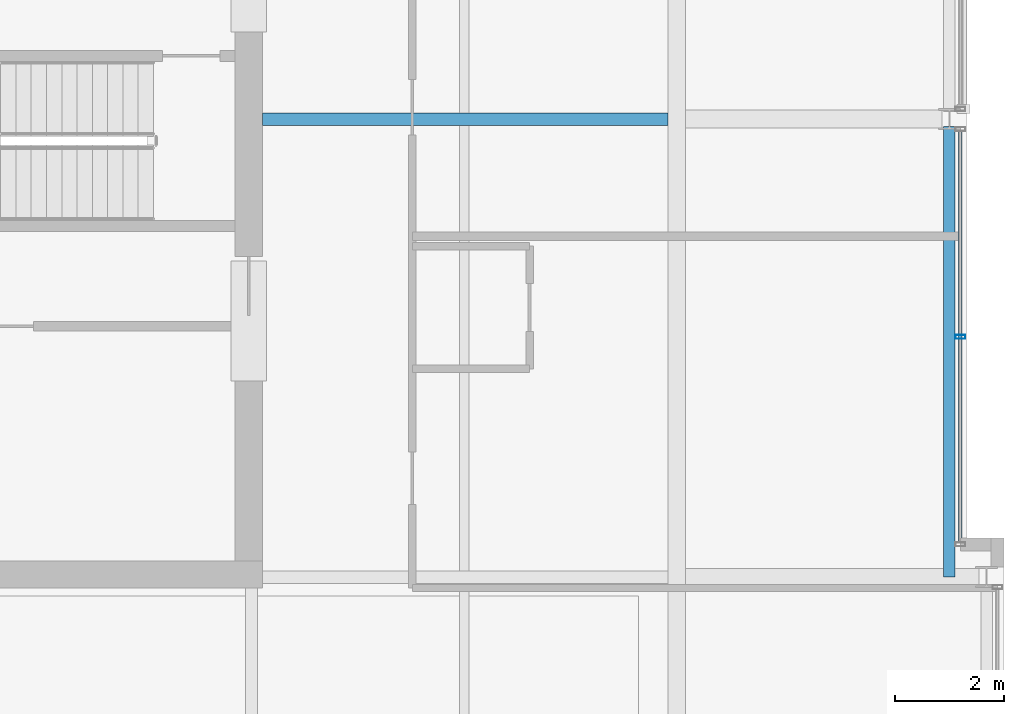
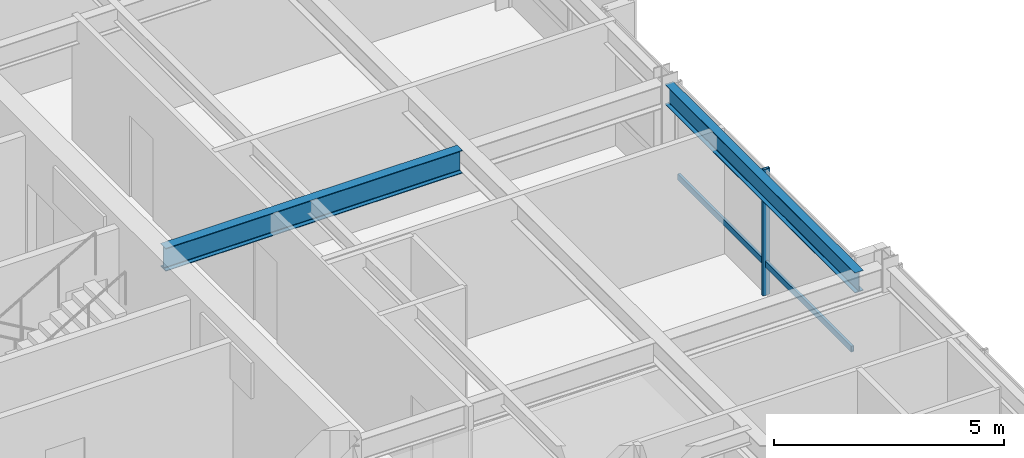
# One storey, part 14 of 32: 2 beams, 2 members, 1 element without a shape of its own.
"""IFC4 building model written with IfcOpenShell, lengths in metres."""

from ifc_helpers import new_model, si_unit, direction, frame, origin, origin_2d, place, context, subcontext, project, spatial, hollow_rectangle, i_section, extrude, material, layer, layer_set, material_profile, profile_set, type_object, element, aggregate, save


model = new_model("IFC4")

# Units and contexts
model_context = context("Model", 3, precision=1e-05, world=origin(), true_north=direction((0.0, 1.0)))
body_context = subcontext(model_context, "Body", "Model", "MODEL_VIEW")
ifc_project = project(units=[si_unit("LENGTHUNIT", "METRE"), si_unit("AREAUNIT", "SQUARE_METRE"), si_unit("VOLUMEUNIT", "CUBIC_METRE"), si_unit("PLANEANGLEUNIT", "RADIAN"), si_unit("MASSUNIT", "GRAM", prefix="KILO")], contexts=[model_context])

# Site, building, storey
site_placement = place(None, origin())
site = spatial("IfcSite", under=ifc_project, at=site_placement, CompositionType="ELEMENT")
building_placement = place(site_placement, origin())
building = spatial("IfcBuilding", under=site, at=building_placement, Name="Drelvath Grand Hotel", CompositionType="ELEMENT")
storey_placement = place(building_placement, frame((0.0, 0.0, 226.699951171875)))
storey = spatial("IfcBuildingStorey", under=building, at=storey_placement, Name="L59", CompositionType="ELEMENT", Elevation=226.699951171875)

# Curtain wall, members
ifc_material_1 = material(Name="Platinum-Mist Anodised Aluminium Frame", Category="aluminium")
ifc_layer = layer(ifc_material_1, 0.199951171875)
ifc_layer_set = layer_set([ifc_layer], Name="Platinum-Mist Anodised Aluminium Frame")
curtain_wall_type = type_object("IfcCurtainWallType", Name="Stick Curtain Wall CW-05 Platinum Mist High-Rise", PredefinedType="NOTDEFINED", material=ifc_layer_set)
curtain_wall_placement = place(storey_placement, origin())
curtain_wall = element("IfcCurtainWall", 1, at=curtain_wall_placement, inside=storey, type_object=curtain_wall_type, Name="L59 CW-05 Curtain Wall CW05-L59-EM1", PredefinedType="NOTDEFINED")
ifc_material_profile_1 = material_profile(ifc_material_1, hollow_rectangle(XDim=0.06494140625, YDim=0.159912109375, WallThickness=0.00390625, at=origin_2d()), Name="HSS160X65X4")
ifc_profile_set_1 = profile_set([ifc_material_profile_1], Name="Platinum-Mist Anodised Aluminium Frame")
member_type_1 = type_object("IfcMemberType", Name="Curtain Wall Horizontal Transom CW-05 HSS160X65X4", PredefinedType="USERDEFINED", material=ifc_profile_set_1)
member_1_placement = place(storey_placement, frame((21.39990234375, 26.774658203125, 0.8349609375), z_axis=(0.0, -1.0, 0.0), x_axis=(1.0, 0.0, 0.0)))
member_1 = element("IfcMember", 2, at=member_1_placement, type_object=member_type_1, Name="CW05-L59-EM1 Sill Transom", ObjectType="TRANSOM", PredefinedType="USERDEFINED", context=body_context, shape_type="SweptSolid", body=[
    extrude(hollow_rectangle(XDim=0.06494140625, YDim=0.159912109375, WallThickness=0.00390625, at=origin_2d()), origin(), (0.0, 0.0, 1.0), 7.53466796875),
])
ifc_material_profile_2 = material_profile(ifc_material_1, hollow_rectangle(XDim=0.074951171875, YDim=0.179931640625, WallThickness=0.0048828125, at=origin_2d()), Name="HSS180X75X5")
ifc_profile_set_2 = profile_set([ifc_material_profile_2], Name="Platinum-Mist Anodised Aluminium Frame")
member_type_2 = type_object("IfcMemberType", Name="Curtain Wall Vertical Mullion CW-05 HSS180X75X5", PredefinedType="MULLION", material=ifc_profile_set_2)
member_2_placement = place(storey_placement, frame((21.39990234375, 23.00732421875, 0.0), z_axis=(0.0, 0.0, 1.0), x_axis=(0.0, 1.0, 0.0)))
member_2 = element("IfcMember", 3, at=member_2_placement, type_object=member_type_2, Name="CW05-L59-EM1 Mullion 2", PredefinedType="MULLION", context=body_context, shape_type="SweptSolid", body=[
    extrude(hollow_rectangle(XDim=0.074951171875, YDim=0.179931640625, WallThickness=0.0048828125, at=origin_2d()), origin(), (0.0, 0.0, 1.0), 3.340087890625),
])
aggregate(curtain_wall, [member_2, member_1])

# Beams
ifc_material_2 = material(Name="Steel ASTM A992 Gr 50", Category="steel")
ifc_material_profile_3 = material_profile(ifc_material_2, i_section(OverallWidth=0.210205078125, OverallDepth=0.53662109375, WebThickness=0.010986328125, FlangeThickness=0.017333984375, FilletRadius=0.01806640625, at=origin_2d()), Name="W21X68")
ifc_profile_set_3 = profile_set([ifc_material_profile_3], Name="Steel ASTM A992 Gr 50")
beam_type_1 = type_object("IfcBeamType", Name="Perimeter Spandrel Beam W21X68", PredefinedType="SPANDREL", material=ifc_profile_set_3)
beam_1_placement = place(storey_placement, frame((21.199951171875, 18.60009765625, 3.071533203125), z_axis=(0.0, 1.0, 0.0), x_axis=(-1.0, 0.0, 0.0)))
element("IfcBeam", 4, at=beam_1_placement, inside=storey, type_object=beam_type_1, Name="L59 Spandrel East Mid S", PredefinedType="SPANDREL", context=body_context, shape_type="SweptSolid", body=[
    extrude(i_section(OverallWidth=0.210205078125, OverallDepth=0.53662109375, WebThickness=0.010986328125, FlangeThickness=0.017333984375, FilletRadius=0.01806640625, at=origin_2d()), origin(), (0.0, 0.0, 1.0), 8.260009765625),
])
ifc_material_profile_4 = material_profile(ifc_material_2, i_section(OverallWidth=0.228271484375, OverallDepth=0.607666015625, WebThickness=0.01123046875, FlangeThickness=0.017333984375, FilletRadius=0.02001953125, at=origin_2d()), Name="W24X76")
ifc_profile_set_4 = profile_set([ifc_material_profile_4], Name="Steel ASTM A992 Gr 50")
beam_type_2 = type_object("IfcBeamType", Name="Primary Floor Girder W24X76", PredefinedType="BEAM", material=ifc_profile_set_4)
beam_2_placement = place(storey_placement, frame((8.60009765625, 27.0, 3.0361328125), z_axis=(1.0, 0.0, 0.0), x_axis=(0.0, 1.0, 0.0)))
element("IfcBeam", 5, at=beam_2_placement, inside=storey, type_object=beam_type_2, Name="L59 East Core Tie E", PredefinedType="BEAM", context=body_context, shape_type="SweptSolid", body=[
    extrude(i_section(OverallWidth=0.228271484375, OverallDepth=0.607666015625, WebThickness=0.01123046875, FlangeThickness=0.017333984375, FilletRadius=0.02001953125, at=origin_2d()), origin(), (0.0, 0.0, 1.0), 7.43798828125),
])

save(model, "model.ifc")
